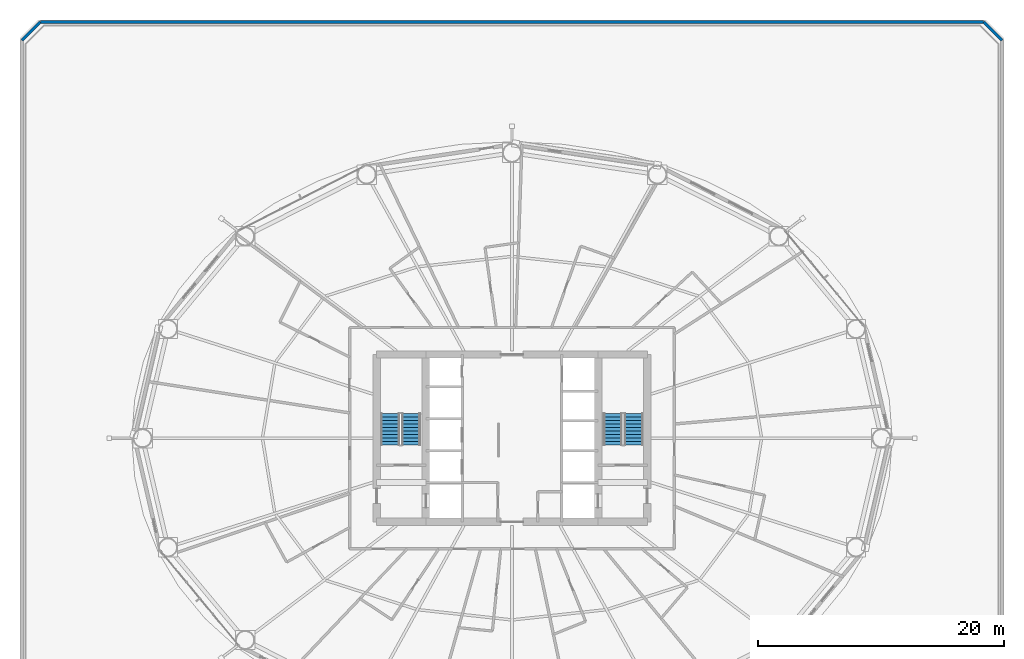
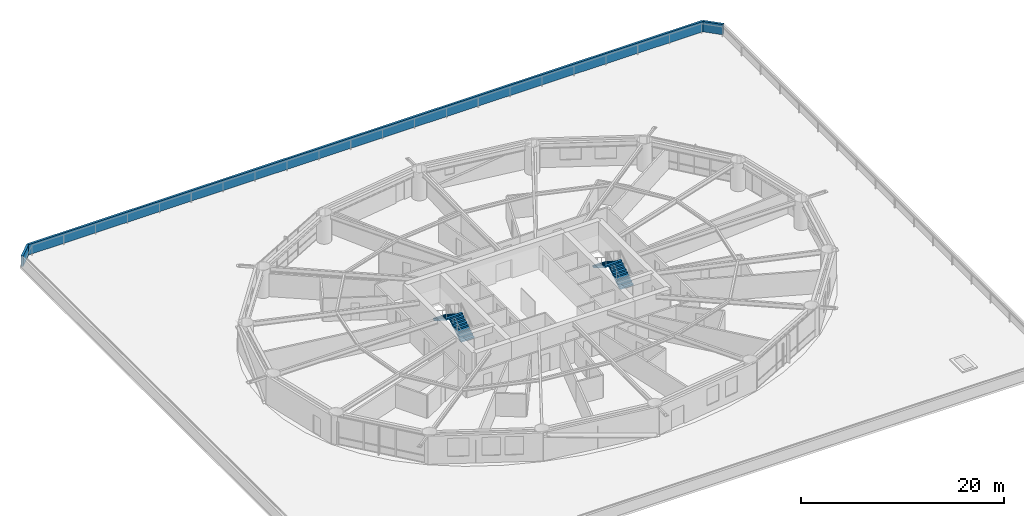
# One storey, part 27 of 30: 4 stair flights, 3 walls, 2 elements without a shape of their own.
"""IFC4 building model written with IfcOpenShell, lengths in metres."""

from ifc_helpers import new_model, si_unit, direction, frame, frame_2d, origin, place, context, subcontext, project, spatial, polyline, rectangle, outline, extrude, material, layer, layer_set, type_object, element, aggregate, save


model = new_model("IFC4")

# Units and contexts
model_context = context("Model", 3, precision=1e-05, world=origin(), true_north=direction((0.0, 1.0)))
body_context = subcontext(model_context, "Body", "Model", "MODEL_VIEW")
ifc_project = project(units=[si_unit("LENGTHUNIT", "METRE"), si_unit("AREAUNIT", "SQUARE_METRE"), si_unit("VOLUMEUNIT", "CUBIC_METRE"), si_unit("PLANEANGLEUNIT", "RADIAN"), si_unit("MASSUNIT", "GRAM", prefix="KILO")], contexts=[model_context])

# Site, building, storey
site_placement = place(None, origin())
site = spatial("IfcSite", under=ifc_project, at=site_placement, CompositionType="ELEMENT")
building_placement = place(site_placement, origin())
building = spatial("IfcBuilding", under=site, at=building_placement, Name="Sarneth Arch Tower", CompositionType="ELEMENT")
storey_placement = place(building_placement, frame((0.0, 0.0, 28.199951171875)))
storey = spatial("IfcBuildingStorey", under=building, at=storey_placement, Name="L05", CompositionType="ELEMENT", Elevation=28.199951171875)

# Walls
ifc_material_1 = material(Name="Extruded terracotta rainscreen on Concrete C40/50 backing", Category="masonry")
ifc_layer = layer(ifc_material_1, 0.239990234375)
ifc_layer_set = layer_set([ifc_layer], Name="Extruded terracotta rainscreen on Concrete C40/50 backing")
wall_type = type_object("IfcWallType", Name="WALL-PARAPET-240", PredefinedType="PARAPET", material=ifc_layer_set)
wall_1_placement = place(storey_placement, frame((87.85009765625, 74.35009765625, 0.0), z_axis=(0.0, 0.0, 1.0), x_axis=(-0.707106781187, 0.707106781187, 0.0)))
element("IfcWall", 1, at=wall_1_placement, inside=storey, type_object=wall_type, Name="L05 Podium roof parapet 4", PredefinedType="PARAPET", context=body_context, shape_type="SweptSolid", body=[
    extrude(rectangle(XDim=2.121337890625, YDim=0.239990234375, at=frame_2d((1.060546875, 0.0))), origin(), (0.0, 0.0, 1.0), 1.25),
])
wall_2_placement = place(storey_placement, frame((86.35009765625, 75.85009765625, 0.0), z_axis=(0.0, 0.0, 1.0), x_axis=(-1.0, 0.0, 0.0)))
element("IfcWall", 2, at=wall_2_placement, inside=storey, type_object=wall_type, Name="L05 Podium roof parapet 5", PredefinedType="PARAPET", context=body_context, shape_type="SweptSolid", body=[
    extrude(rectangle(XDim=76.7001953125, YDim=0.239990234375, at=frame_2d((38.35009765625, 0.0))), origin(), (0.0, 0.0, 1.0), 1.25),
])
wall_3_placement = place(storey_placement, frame((9.64990234375, 75.85009765625, 0.0), z_axis=(0.0, 0.0, 1.0), x_axis=(-0.707106781187, -0.707106781187, 0.0)))
element("IfcWall", 3, at=wall_3_placement, inside=storey, type_object=wall_type, Name="L05 Podium roof parapet 6", PredefinedType="PARAPET", context=body_context, shape_type="SweptSolid", body=[
    extrude(rectangle(XDim=2.121337890625, YDim=0.239990234375, at=frame_2d((1.060546875, 0.0))), origin(), (0.0, 0.0, 1.0), 1.25),
])

# Stair, stair flights
ifc_material_2 = material(Name="Concrete C50/60", Category="concrete")
stair_type = type_object("IfcStairType", Name="STAIR-CORE-RC", PredefinedType="HALF_TURN_STAIR", material=ifc_material_2)
stair_1_placement = place(storey_placement, origin())
stair_1 = element("IfcStair", 4, at=stair_1_placement, inside=storey, type_object=stair_type, Name="L05 Core Exit Stair 1", PredefinedType="HALF_TURN_STAIR")
ifc_material_3 = material(Name="Concrete C50/60", Category="concrete")
stair_flight_type = type_object("IfcStairFlightType", Name="FLIGHT-RC-1500", PredefinedType="STRAIGHT", material=ifc_material_3)
stair_flight_1_placement = place(storey_placement, frame((39.800048828125, 41.449951171875, 0.0), z_axis=(0.0, 0.0, 1.0), x_axis=(0.0, 1.0, 0.0)))
stair_flight_1 = element("IfcStairFlight", 5, at=stair_flight_1_placement, type_object=stair_flight_type, Name="ST-1 flight 1", NumberOfRisers=10, NumberOfTreads=9, PredefinedType="STRAIGHT", RiserHeight=0.18, TreadLength=0.285, context=body_context, shape_type="SweptSolid", body=[
    extrude(outline(polyline([(0.0, 0.0), (0.0, 0.179931640625), (0.284912109375, 0.179931640625), (0.284912109375, 0.360107421875), (0.570068359375, 0.360107421875), (0.570068359375, 0.5400390625), (0.85498046875, 0.5400390625), (0.85498046875, 0.719970703125), (1.139892578125, 0.719970703125), (1.139892578125, 0.89990234375), (1.425048828125, 0.89990234375), (1.425048828125, 1.080078125), (1.7099609375, 1.080078125), (1.7099609375, 1.260009765625), (1.9951171875, 1.260009765625), (1.9951171875, 1.43994140625), (2.280029296875, 1.43994140625), (2.280029296875, 1.6201171875), (2.56494140625, 1.6201171875), (2.56494140625, 1.800048828125), (2.56494140625, 1.442626953125), (0.28076171875, 0.0), (0.0, 0.0)])), frame((0.0, 0.75, 0.0), z_axis=(0.0, -1.0, 0.0), x_axis=(1.0, 0.0, 0.0)), (0.0, 0.0, 1.0), 1.5),
])
stair_flight_2_placement = place(storey_placement, frame((38.10009765625, 44.014892578125, 1.800048828125), z_axis=(0.0, 0.0, 1.0), x_axis=(0.0, -1.0, 0.0)))
stair_flight_2 = element("IfcStairFlight", 6, at=stair_flight_2_placement, type_object=stair_flight_type, Name="ST-1 flight 2", NumberOfRisers=10, NumberOfTreads=9, PredefinedType="STRAIGHT", RiserHeight=0.18, TreadLength=0.285, context=body_context, shape_type="SweptSolid", body=[
    extrude(outline(polyline([(0.0, 0.0), (0.0, 0.179931640625), (0.284912109375, 0.179931640625), (0.284912109375, 0.360107421875), (0.570068359375, 0.360107421875), (0.570068359375, 0.5400390625), (0.85498046875, 0.5400390625), (0.85498046875, 0.719970703125), (1.139892578125, 0.719970703125), (1.139892578125, 0.89990234375), (1.425048828125, 0.89990234375), (1.425048828125, 1.080078125), (1.7099609375, 1.080078125), (1.7099609375, 1.260009765625), (1.9951171875, 1.260009765625), (1.9951171875, 1.43994140625), (2.280029296875, 1.43994140625), (2.280029296875, 1.6201171875), (2.56494140625, 1.6201171875), (2.56494140625, 1.800048828125), (2.56494140625, 1.442626953125), (0.28076171875, 0.0), (0.0, 0.0)])), frame((0.0, 0.75, 0.0), z_axis=(0.0, -1.0, 0.0), x_axis=(1.0, 0.0, 0.0)), (0.0, 0.0, 1.0), 1.5),
])
aggregate(stair_1, [stair_flight_1, stair_flight_2])

stair_2_placement = place(storey_placement, origin())
stair_2 = element("IfcStair", 7, at=stair_2_placement, inside=storey, type_object=stair_type, Name="L05 Core Exit Stair 2", PredefinedType="HALF_TURN_STAIR")
stair_flight_3_placement = place(storey_placement, frame((57.89990234375, 41.449951171875, 0.0), z_axis=(0.0, 0.0, 1.0), x_axis=(0.0, 1.0, 0.0)))
stair_flight_3 = element("IfcStairFlight", 8, at=stair_flight_3_placement, type_object=stair_flight_type, Name="ST-2 flight 1", NumberOfRisers=10, NumberOfTreads=9, PredefinedType="STRAIGHT", RiserHeight=0.18, TreadLength=0.285, context=body_context, shape_type="SweptSolid", body=[
    extrude(outline(polyline([(0.0, 0.0), (0.0, 0.179931640625), (0.284912109375, 0.179931640625), (0.284912109375, 0.360107421875), (0.570068359375, 0.360107421875), (0.570068359375, 0.5400390625), (0.85498046875, 0.5400390625), (0.85498046875, 0.719970703125), (1.139892578125, 0.719970703125), (1.139892578125, 0.89990234375), (1.425048828125, 0.89990234375), (1.425048828125, 1.080078125), (1.7099609375, 1.080078125), (1.7099609375, 1.260009765625), (1.9951171875, 1.260009765625), (1.9951171875, 1.43994140625), (2.280029296875, 1.43994140625), (2.280029296875, 1.6201171875), (2.56494140625, 1.6201171875), (2.56494140625, 1.800048828125), (2.56494140625, 1.442626953125), (0.28076171875, 0.0), (0.0, 0.0)])), frame((0.0, 0.75, 0.0), z_axis=(0.0, -1.0, 0.0), x_axis=(1.0, 0.0, 0.0)), (0.0, 0.0, 1.0), 1.5),
])
stair_flight_4_placement = place(storey_placement, frame((56.199951171875, 44.014892578125, 1.800048828125), z_axis=(0.0, 0.0, 1.0), x_axis=(0.0, -1.0, 0.0)))
stair_flight_4 = element("IfcStairFlight", 9, at=stair_flight_4_placement, type_object=stair_flight_type, Name="ST-2 flight 2", NumberOfRisers=10, NumberOfTreads=9, PredefinedType="STRAIGHT", RiserHeight=0.18, TreadLength=0.285, context=body_context, shape_type="SweptSolid", body=[
    extrude(outline(polyline([(0.0, 0.0), (0.0, 0.179931640625), (0.284912109375, 0.179931640625), (0.284912109375, 0.360107421875), (0.570068359375, 0.360107421875), (0.570068359375, 0.5400390625), (0.85498046875, 0.5400390625), (0.85498046875, 0.719970703125), (1.139892578125, 0.719970703125), (1.139892578125, 0.89990234375), (1.425048828125, 0.89990234375), (1.425048828125, 1.080078125), (1.7099609375, 1.080078125), (1.7099609375, 1.260009765625), (1.9951171875, 1.260009765625), (1.9951171875, 1.43994140625), (2.280029296875, 1.43994140625), (2.280029296875, 1.6201171875), (2.56494140625, 1.6201171875), (2.56494140625, 1.800048828125), (2.56494140625, 1.442626953125), (0.28076171875, 0.0), (0.0, 0.0)])), frame((0.0, 0.75, 0.0), z_axis=(0.0, -1.0, 0.0), x_axis=(1.0, 0.0, 0.0)), (0.0, 0.0, 1.0), 1.5),
])
aggregate(stair_2, [stair_flight_3, stair_flight_4])

save(model, "model.ifc")
